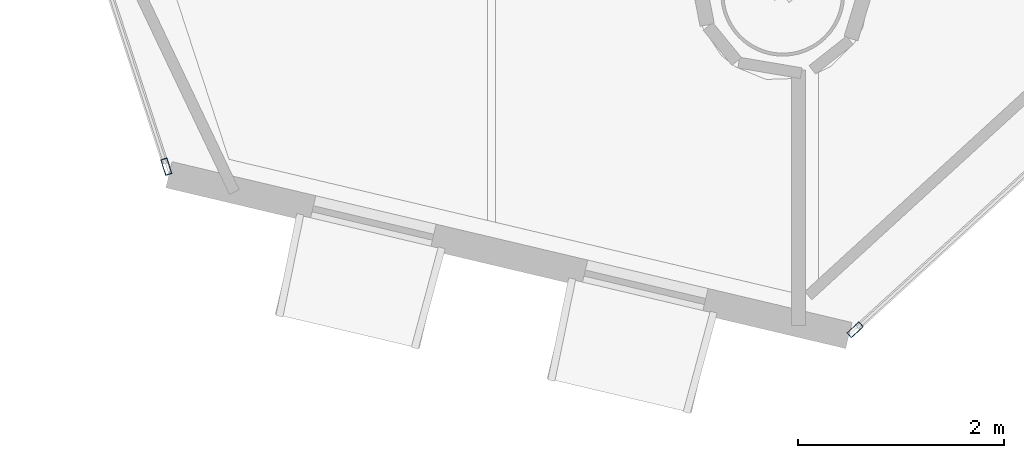
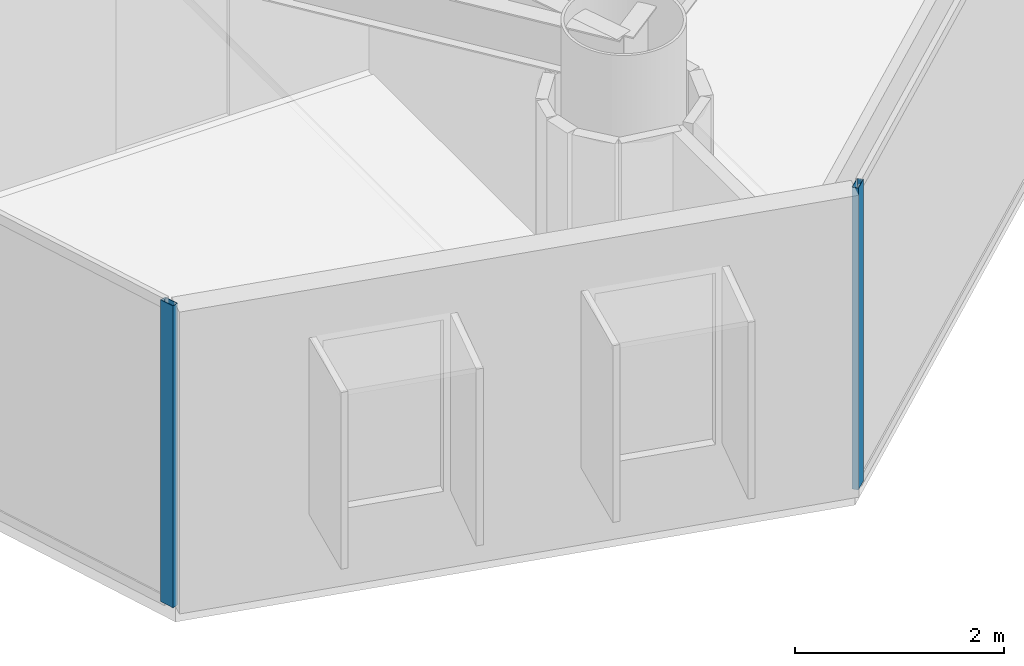
# One storey, part 2 of 24: 2 members, 2 elements without a shape of their own.
"""IFC4 building model written with IfcOpenShell, lengths in metres."""

from ifc_helpers import new_model, si_unit, direction, frame, origin, origin_2d, place, context, subcontext, project, spatial, hollow_rectangle, extrude, material, layer, layer_set, material_profile, profile_set, type_object, element, aggregate, save


model = new_model("IFC4")

# Units and contexts
model_context = context("Model", 3, precision=1e-05, world=origin(), true_north=direction((0.0, 1.0)))
body_context = subcontext(model_context, "Body", "Model", "MODEL_VIEW")
ifc_project = project(units=[si_unit("LENGTHUNIT", "METRE"), si_unit("AREAUNIT", "SQUARE_METRE"), si_unit("VOLUMEUNIT", "CUBIC_METRE"), si_unit("PLANEANGLEUNIT", "RADIAN"), si_unit("MASSUNIT", "GRAM", prefix="KILO")], contexts=[model_context])

# Site, building, storey
site_placement = place(None, origin())
site = spatial("IfcSite", under=ifc_project, at=site_placement, CompositionType="ELEMENT")
building_placement = place(site_placement, origin())
building = spatial("IfcBuilding", under=site, at=building_placement, Name="Qianvela Tower", CompositionType="ELEMENT")
storey_placement = place(building_placement, frame((0.0, 0.0, 222.5)))
storey = spatial("IfcBuildingStorey", under=building, at=storey_placement, Name="L57", CompositionType="ELEMENT", Elevation=222.5)

# Curtain wall, member
ifc_material_1 = material(Name="Anodised Architectural Aluminium and Low-E Glass", Category="aluminium")
ifc_layer = layer(ifc_material_1, 0.159912109375)
ifc_layer_set = layer_set([ifc_layer], Name="Anodised Architectural Aluminium and Low-E Glass")
curtain_wall_type = type_object("IfcCurtainWallType", Name="CW-COLIV-Z56", PredefinedType="USERDEFINED", material=ifc_layer_set)
curtain_wall_1_placement = place(storey_placement, origin())
curtain_wall_1 = element("IfcCurtainWall", 1, at=curtain_wall_1_placement, inside=storey, type_object=curtain_wall_type, Name="L57 CW-COLIV-Z56 Curtain Wall 04C", ObjectType="CURTAIN_WALL_SYSTEM", PredefinedType="USERDEFINED")
ifc_material_2 = material(Name="Anodised Architectural Aluminium 6063-T6", Category="aluminium")
ifc_material_profile = material_profile(ifc_material_2, hollow_rectangle(XDim=0.06494140625, YDim=0.159912109375, WallThickness=0.0048828125, at=origin_2d()), Name="ALU-MULL-65x160")
ifc_profile_set = profile_set([ifc_material_profile], Name="Anodised Architectural Aluminium 6063-T6")
member_type = type_object("IfcMemberType", Name="CW-COLIV-Z56-MULL", PredefinedType="MULLION", material=ifc_profile_set)
member_1_placement = place(storey_placement, frame((27.433349609375, 8.85888671875, 0.0), z_axis=(0.0, 0.0, 1.0), x_axis=(0.950624538383, 0.310343337328, 0.0)))
member_1 = element("IfcMember", 2, at=member_1_placement, type_object=member_type, Name="CW-5 mullion 2", PredefinedType="MULLION", context=body_context, shape_type="SweptSolid", body=[
    extrude(hollow_rectangle(XDim=0.06494140625, YDim=0.159912109375, WallThickness=0.0048828125, at=origin_2d()), origin(), (0.0, 0.0, 1.0), 3.52001953125),
])
aggregate(curtain_wall_1, [member_1])

curtain_wall_2_placement = place(storey_placement, origin())
curtain_wall_2 = element("IfcCurtainWall", 3, at=curtain_wall_2_placement, inside=storey, type_object=curtain_wall_type, Name="L57 CW-COLIV-Z56 Curtain Wall 06A", ObjectType="CURTAIN_WALL_SYSTEM", PredefinedType="USERDEFINED")
member_2_placement = place(storey_placement, frame((34.11474609375, 7.2763671875, 0.0), z_axis=(0.0, 0.0, 1.0), x_axis=(-0.674728184721, 0.738066309178, 0.0)))
member_2 = element("IfcMember", 4, at=member_2_placement, type_object=member_type, Name="CW-5 mullion 1", PredefinedType="MULLION", context=body_context, shape_type="SweptSolid", body=[
    extrude(hollow_rectangle(XDim=0.06494140625, YDim=0.159912109375, WallThickness=0.0048828125, at=origin_2d()), origin(), (0.0, 0.0, 1.0), 3.52001953125),
])
aggregate(curtain_wall_2, [member_2])

save(model, "model.ifc")
